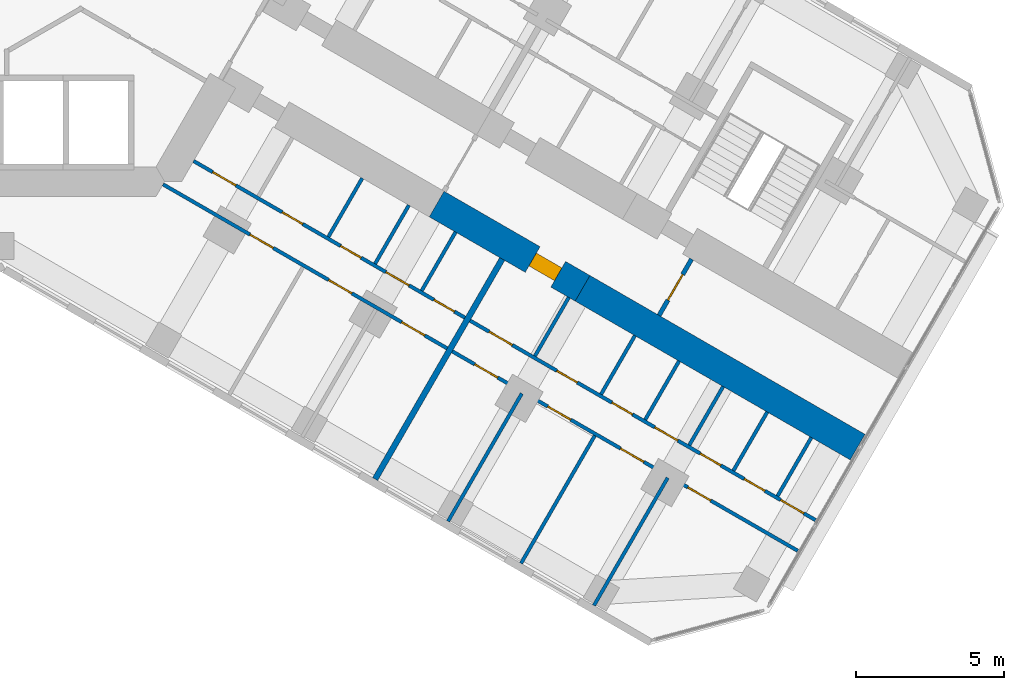
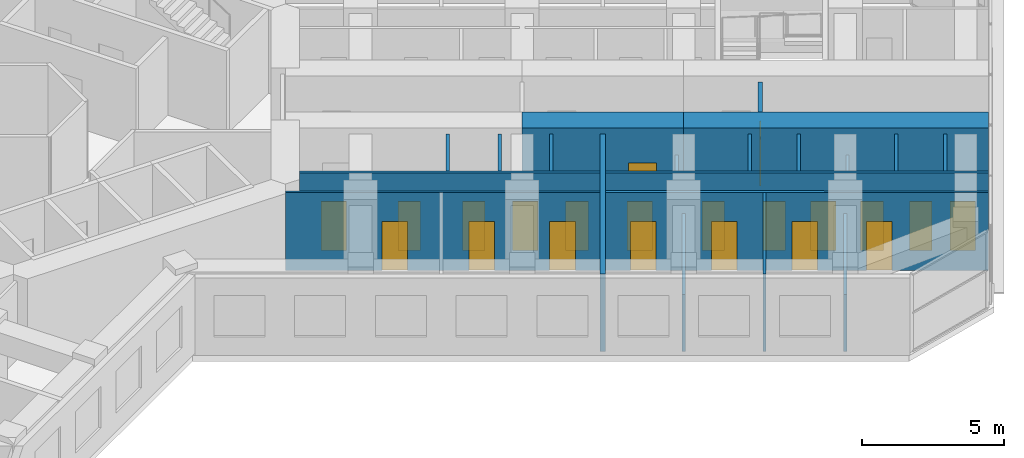
# One storey, part 14 of 21: 21 doors, 20 walls, 21 openings.
"""IFC4 building model written with IfcOpenShell, lengths in metres."""

from ifc_helpers import new_model, si_unit, direction, frame, frame_2d, origin, place, context, subcontext, project, spatial, rectangle, extrude, material, layer, layer_set, type_object, element, fill, save


model = new_model("IFC4")

# Units and contexts
model_context = context("Model", 3, precision=1e-05, world=origin(), true_north=direction((0.0, 1.0)))
body_context = subcontext(model_context, "Body", "Model", "MODEL_VIEW")
ifc_project = project(units=[si_unit("LENGTHUNIT", "METRE"), si_unit("AREAUNIT", "SQUARE_METRE"), si_unit("VOLUMEUNIT", "CUBIC_METRE"), si_unit("PLANEANGLEUNIT", "RADIAN"), si_unit("MASSUNIT", "GRAM", prefix="KILO")], contexts=[model_context])

# Site, building, storey
site_placement = place(None, origin())
site = spatial("IfcSite", under=ifc_project, at=site_placement, CompositionType="ELEMENT")
building_placement = place(site_placement, origin())
building = spatial("IfcBuilding", under=site, at=building_placement, Name="Kosmar Iwan School Tower", CompositionType="ELEMENT")
storey_placement = place(building_placement, frame((0.0, 0.0, 98.800048828125)))
storey = spatial("IfcBuildingStorey", under=building, at=storey_placement, Name="L24", CompositionType="ELEMENT", Elevation=98.800048828125)

# Wall, opening, door
ifc_material_1 = material(Name="Concrete C50/60", Category="concrete")
ifc_layer_1 = layer(ifc_material_1, 1.0)
ifc_layer_set_1 = layer_set([ifc_layer_1], Name="Corridor buttress wall 1000")
wall_type_1 = type_object("IfcWallType", Name="Corridor buttress wall 1000", PredefinedType="SHEAR", material=ifc_layer_set_1)
wall_1_placement = place(storey_placement, frame((14.7451171875, -10.360595703125, 0.0), z_axis=(0.0, 0.0, 1.0), x_axis=(0.866015111908, -0.50001782563, 0.0)))
wall_1 = element("IfcWall", 1, at=wall_1_placement, inside=storey, type_object=wall_type_1, Name="Corridor wall CR bay 2", PredefinedType="SHEAR", context=body_context, shape_type="SweptSolid", body=[
    extrude(rectangle(XDim=5.699951171875, YDim=1.0, at=frame_2d((2.85009765625, 0.0))), origin(), (0.0, 0.0, 1.0), 3.599853515625),
])
opening_1_placement = place(wall_1_placement, frame((3.75, 0.0, 0.0)))
opening_1 = element("IfcOpeningElement", 2, at=opening_1_placement, cuts=wall_1, Name="Opening D1", PredefinedType="OPENING", context=body_context, shape_type="SweptSolid", body=[
    extrude(rectangle(XDim=1.0, YDim=2.10009765625, at=frame_2d((0.5, 1.050048828125))), frame((0.0, 0.511962890625, 0.0), z_axis=(0.0, -1.0, 0.0), x_axis=(1.0, 0.0, 0.0)), (0.0, 0.0, 1.0), 1.02392578125),
])
ifc_material_2 = material(Name="Timber fire door in steel frame", Category="steel")
door_type_1 = type_object("IfcDoorType", Name="Flat entrance door 1000x2100", OperationType="SINGLE_SWING_LEFT", PredefinedType="DOOR", material=ifc_material_2)
door_1_placement = place(opening_1_placement, origin())
door_1 = element("IfcDoor", 3, at=door_1_placement, inside=storey, type_object=door_type_1, Name="Flat L24-CR2 entrance door", OperationType="SINGLE_SWING_RIGHT", OverallHeight=2.10009765625, OverallWidth=1.0, PredefinedType="DOOR", context=body_context, shape_type="SweptSolid", body=[
    extrude(rectangle(XDim=1.0, YDim=2.10009765625, at=frame_2d((0.5, 1.050048828125))), frame((0.0, 0.25, 0.0), z_axis=(0.0, -1.0, 0.0), x_axis=(1.0, 0.0, 0.0)), (0.0, 0.0, 1.0), 0.5),
])
fill(opening_1, door_1)

# Wall
wall_2_placement = place(storey_placement, frame((19.681396484375, -13.210693359375, 0.0), z_axis=(0.0, 0.0, 1.0), x_axis=(0.866028186671, -0.499995179869, 0.0)))
element("IfcWall", 4, at=wall_2_placement, inside=storey, type_object=wall_type_1, Name="Corridor wall CR bay 3", PredefinedType="SHEAR", context=body_context, shape_type="SweptSolid", body=[
    extrude(rectangle(XDim=10.7451171875, YDim=1.0, at=frame_2d((5.37255859375, 0.0))), origin(), (0.0, 0.0, 1.0), 3.599853515625),
])

# Wall, opening, door
ifc_material_3 = material(Name="Gypsum board on steel studs, fire-rated", Category="steel")
ifc_layer_2 = layer(ifc_material_3, 0.14990234375)
ifc_layer_set_2 = layer_set([ifc_layer_2], Name="Corridor end wall 150")
wall_type_2 = type_object("IfcWallType", Name="Corridor end wall 150", PredefinedType="PARTITIONING", material=ifc_layer_set_2)
wall_3_placement = place(storey_placement, frame((22.269775390625, -14.127685546875, 0.0), z_axis=(0.0, 0.0, 1.0), x_axis=(0.50002983664, 0.866008176907, 0.0)))
wall_3 = element("IfcWall", 5, at=wall_3_placement, inside=storey, type_object=wall_type_2, Name="Partition L24-C-CE", PredefinedType="PARTITIONING", context=body_context, shape_type="SweptSolid", body=[
    extrude(rectangle(XDim=2.199951171875, YDim=0.14990234375, at=frame_2d((1.10009765625, 0.0))), origin(), (0.0, 0.0, 1.0), 3.349853515625),
])
opening_2_placement = place(wall_3_placement, frame((0.60009765625, 0.0, 0.0)))
opening_2 = element("IfcOpeningElement", 6, at=opening_2_placement, cuts=wall_3, Name="Opening D13", PredefinedType="OPENING", context=body_context, shape_type="SweptSolid", body=[
    extrude(rectangle(XDim=1.0, YDim=2.10009765625, at=frame_2d((0.5, 1.050048828125))), frame((0.0, 0.0869140625, 0.0), z_axis=(0.0, -1.0, 0.0), x_axis=(1.0, 0.0, 0.0)), (0.0, 0.0, 1.0), 0.173828125),
])
ifc_material_4 = material(Name="Timber fire door with vision panel", Category="wood")
door_type_2 = type_object("IfcDoorType", Name="Corridor end door 1000x2100", OperationType="SINGLE_SWING_LEFT", PredefinedType="DOOR", material=ifc_material_4)
door_2_placement = place(opening_2_placement, origin())
door_2 = element("IfcDoor", 7, at=door_2_placement, inside=storey, type_object=door_type_2, Name="Hobby workshop door L24-C", OperationType="SINGLE_SWING_LEFT", OverallHeight=2.10009765625, OverallWidth=1.0, PredefinedType="DOOR", context=body_context, shape_type="SweptSolid", body=[
    extrude(rectangle(XDim=1.0, YDim=2.10009765625, at=frame_2d((0.5, 1.050048828125))), frame((0.0, 0.02490234375, 0.0), z_axis=(0.0, -1.0, 0.0), x_axis=(1.0, 0.0, 0.0)), (0.0, 0.0, 1.0), 0.050048828125),
])
fill(opening_2, door_2)

# Wall, openings, doors
ifc_material_5 = material(Name="Gypsum board on steel studs", Category="steel")
ifc_layer_3 = layer(ifc_material_5, 0.1201171875)
ifc_layer_set_3 = layer_set([ifc_layer_3], Name="Dwelling partition 120")
wall_type_3 = type_object("IfcWallType", Name="Dwelling partition 120", PredefinedType="PARTITIONING", material=ifc_layer_set_3)
wall_4_placement = place(storey_placement, frame((6.521728515625, -8.90380859375, 0.0), z_axis=(0.0, 0.0, 1.0), x_axis=(0.866024879913, -0.50000090737, 0.0)))
wall_4 = element("IfcWall", 8, at=wall_4_placement, inside=storey, type_object=wall_type_3, Name="Partition L24-CR1-W1", PredefinedType="PARTITIONING", context=body_context, shape_type="SweptSolid", body=[
    extrude(rectangle(XDim=10.60009765625, YDim=0.1201171875, at=frame_2d((5.300048828125, 0.0))), origin(), (0.0, 0.0, 1.0), 3.349853515625),
])
opening_3_placement = place(wall_4_placement, frame((0.75, 0.0, 0.0)))
opening_3 = element("IfcOpeningElement", 9, at=opening_3_placement, cuts=wall_4, Name="Opening D2", PredefinedType="OPENING", context=body_context, shape_type="SweptSolid", body=[
    extrude(rectangle(XDim=0.89990234375, YDim=2.10009765625, at=frame_2d((0.449951171875, 1.050048828125))), frame((0.0, 0.072021484375, 0.0), z_axis=(0.0, -1.0, 0.0), x_axis=(1.0, 0.0, 0.0)), (0.0, 0.0, 1.0), 0.14404296875),
])
opening_4_placement = place(wall_4_placement, frame((3.466796875, 0.0, 0.0)))
opening_4 = element("IfcOpeningElement", 10, at=opening_4_placement, cuts=wall_4, Name="Opening D3", PredefinedType="OPENING", context=body_context, shape_type="SweptSolid", body=[
    extrude(rectangle(XDim=0.800048828125, YDim=2.10009765625, at=frame_2d((0.39990234375, 1.050048828125))), frame((0.0, 0.072021484375, 0.0), z_axis=(0.0, -1.0, 0.0), x_axis=(1.0, 0.0, 0.0)), (0.0, 0.0, 1.0), 0.14404296875),
])
opening_5_placement = place(wall_4_placement, frame((5.744384765625, 0.0, 0.0)))
opening_5 = element("IfcOpeningElement", 11, at=opening_5_placement, cuts=wall_4, Name="Opening D3", PredefinedType="OPENING", context=body_context, shape_type="SweptSolid", body=[
    extrude(rectangle(XDim=0.800048828125, YDim=2.10009765625, at=frame_2d((0.39990234375, 1.050048828125))), frame((0.0, 0.072021484375, 0.0), z_axis=(0.0, -1.0, 0.0), x_axis=(1.0, 0.0, 0.0)), (0.0, 0.0, 1.0), 0.14404296875),
])
opening_6_placement = place(wall_4_placement, frame((7.5166015625, 0.0, 0.0)))
opening_6 = element("IfcOpeningElement", 12, at=opening_6_placement, cuts=wall_4, Name="Opening D2", PredefinedType="OPENING", context=body_context, shape_type="SweptSolid", body=[
    extrude(rectangle(XDim=0.89990234375, YDim=2.10009765625, at=frame_2d((0.449951171875, 1.050048828125))), frame((0.0, 0.072021484375, 0.0), z_axis=(0.0, -1.0, 0.0), x_axis=(1.0, 0.0, 0.0)), (0.0, 0.0, 1.0), 0.14404296875),
])
opening_7_placement = place(wall_4_placement, frame((9.388916015625, 0.0, 0.0)))
opening_7 = element("IfcOpeningElement", 13, at=opening_7_placement, cuts=wall_4, Name="Opening D3", PredefinedType="OPENING", context=body_context, shape_type="SweptSolid", body=[
    extrude(rectangle(XDim=0.800048828125, YDim=2.10009765625, at=frame_2d((0.39990234375, 1.050048828125))), frame((0.0, 0.072021484375, 0.0), z_axis=(0.0, -1.0, 0.0), x_axis=(1.0, 0.0, 0.0)), (0.0, 0.0, 1.0), 0.14404296875),
])
ifc_material_6 = material(Name="Timber door in timber frame", Category="wood")
door_type_3 = type_object("IfcDoorType", Name="Internal door 900x2100", OperationType="SINGLE_SWING_LEFT", PredefinedType="DOOR", material=ifc_material_6)
door_3_placement = place(opening_3_placement, origin())
door_3 = element("IfcDoor", 14, at=door_3_placement, inside=storey, type_object=door_type_3, Name="Entrance hall door L24-CR1-S1", OperationType="SINGLE_SWING_LEFT", OverallHeight=2.10009765625, OverallWidth=0.89990234375, PredefinedType="DOOR", context=body_context, shape_type="SweptSolid", body=[
    extrude(rectangle(XDim=0.89990234375, YDim=2.10009765625, at=frame_2d((0.449951171875, 1.050048828125))), frame((0.0, 0.02490234375, 0.0), z_axis=(0.0, -1.0, 0.0), x_axis=(1.0, 0.0, 0.0)), (0.0, 0.0, 1.0), 0.050048828125),
])
fill(opening_3, door_3)
door_4_placement = place(opening_6_placement, origin())
door_4 = element("IfcDoor", 15, at=door_4_placement, inside=storey, type_object=door_type_3, Name="Pantry door L24-CR1-S4", OperationType="SINGLE_SWING_RIGHT", OverallHeight=2.10009765625, OverallWidth=0.89990234375, PredefinedType="DOOR", context=body_context, shape_type="SweptSolid", body=[
    extrude(rectangle(XDim=0.89990234375, YDim=2.10009765625, at=frame_2d((0.449951171875, 1.050048828125))), frame((0.0, 0.02490234375, 0.0), z_axis=(0.0, -1.0, 0.0), x_axis=(1.0, 0.0, 0.0)), (0.0, 0.0, 1.0), 0.050048828125),
])
fill(opening_6, door_4)
ifc_material_7 = material(Name="Timber door in timber frame", Category="wood")
door_type_4 = type_object("IfcDoorType", Name="Sanitary room door 800x2100", OperationType="SINGLE_SWING_LEFT", PredefinedType="DOOR", material=ifc_material_7)
door_5_placement = place(opening_4_placement, origin())
door_5 = element("IfcDoor", 16, at=door_5_placement, inside=storey, type_object=door_type_4, Name="Bathroom door L24-CR1-S2", OperationType="SINGLE_SWING_RIGHT", OverallHeight=2.10009765625, OverallWidth=0.800048828125, PredefinedType="DOOR", context=body_context, shape_type="SweptSolid", body=[
    extrude(rectangle(XDim=0.800048828125, YDim=2.10009765625, at=frame_2d((0.39990234375, 1.050048828125))), frame((0.0, 0.02490234375, 0.0), z_axis=(0.0, -1.0, 0.0), x_axis=(1.0, 0.0, 0.0)), (0.0, 0.0, 1.0), 0.050048828125),
])
fill(opening_4, door_5)
door_6_placement = place(opening_5_placement, origin())
door_6 = element("IfcDoor", 17, at=door_6_placement, inside=storey, type_object=door_type_4, Name="Shower room door L24-CR1-S3", OperationType="SINGLE_SWING_LEFT", OverallHeight=2.10009765625, OverallWidth=0.800048828125, PredefinedType="DOOR", context=body_context, shape_type="SweptSolid", body=[
    extrude(rectangle(XDim=0.800048828125, YDim=2.10009765625, at=frame_2d((0.39990234375, 1.050048828125))), frame((0.0, 0.02490234375, 0.0), z_axis=(0.0, -1.0, 0.0), x_axis=(1.0, 0.0, 0.0)), (0.0, 0.0, 1.0), 0.050048828125),
])
fill(opening_5, door_6)
door_7_placement = place(opening_7_placement, origin())
door_7 = element("IfcDoor", 18, at=door_7_placement, inside=storey, type_object=door_type_4, Name="WC door L24-CR1-S5", OperationType="SINGLE_SWING_RIGHT", OverallHeight=2.10009765625, OverallWidth=0.800048828125, PredefinedType="DOOR", context=body_context, shape_type="SweptSolid", body=[
    extrude(rectangle(XDim=0.800048828125, YDim=2.10009765625, at=frame_2d((0.39990234375, 1.050048828125))), frame((0.0, 0.02490234375, 0.0), z_axis=(0.0, -1.0, 0.0), x_axis=(1.0, 0.0, 0.0)), (0.0, 0.0, 1.0), 0.050048828125),
])
fill(opening_7, door_7)

wall_5_placement = place(storey_placement, frame((5.48876953125, -9.693115234375, 0.0), z_axis=(0.0, 0.0, 1.0), x_axis=(0.866026992824, -0.499997247692, 0.0)))
wall_5 = element("IfcWall", 19, at=wall_5_placement, inside=storey, type_object=wall_type_3, Name="Partition L24-CR1-W2", PredefinedType="PARTITIONING", context=body_context, shape_type="SweptSolid", body=[
    extrude(rectangle(XDim=11.10009765625, YDim=0.1201171875, at=frame_2d((5.550048828125, 0.0))), origin(), (0.0, 0.0, 1.0), 3.349853515625),
])
opening_8_placement = place(wall_5_placement, frame((3.39990234375, 0.0, 0.0)))
opening_8 = element("IfcOpeningElement", 20, at=opening_8_placement, cuts=wall_5, Name="Opening D2", PredefinedType="OPENING", context=body_context, shape_type="SweptSolid", body=[
    extrude(rectangle(XDim=0.89990234375, YDim=2.10009765625, at=frame_2d((0.449951171875, 1.050048828125))), frame((0.0, 0.072021484375, 0.0), z_axis=(0.0, -1.0, 0.0), x_axis=(1.0, 0.0, 0.0)), (0.0, 0.0, 1.0), 0.14404296875),
])
opening_9_placement = place(wall_5_placement, frame((6.47509765625, 0.0, 0.0)))
opening_9 = element("IfcOpeningElement", 21, at=opening_9_placement, cuts=wall_5, Name="Opening D2", PredefinedType="OPENING", context=body_context, shape_type="SweptSolid", body=[
    extrude(rectangle(XDim=0.89990234375, YDim=2.10009765625, at=frame_2d((0.449951171875, 1.050048828125))), frame((0.0, 0.072021484375, 0.0), z_axis=(0.0, -1.0, 0.0), x_axis=(1.0, 0.0, 0.0)), (0.0, 0.0, 1.0), 0.14404296875),
])
opening_10_placement = place(wall_5_placement, frame((9.324951171875, 0.0, 0.0)))
opening_10 = element("IfcOpeningElement", 22, at=opening_10_placement, cuts=wall_5, Name="Opening D2", PredefinedType="OPENING", context=body_context, shape_type="SweptSolid", body=[
    extrude(rectangle(XDim=0.89990234375, YDim=2.10009765625, at=frame_2d((0.449951171875, 1.050048828125))), frame((0.0, 0.072021484375, 0.0), z_axis=(0.0, -1.0, 0.0), x_axis=(1.0, 0.0, 0.0)), (0.0, 0.0, 1.0), 0.14404296875),
])
door_8_placement = place(opening_8_placement, origin())
door_8 = element("IfcDoor", 23, at=door_8_placement, inside=storey, type_object=door_type_3, Name="Living room and kitchen door L24-CR1-F1", OperationType="SINGLE_SWING_LEFT", OverallHeight=2.10009765625, OverallWidth=0.89990234375, PredefinedType="DOOR", context=body_context, shape_type="SweptSolid", body=[
    extrude(rectangle(XDim=0.89990234375, YDim=2.10009765625, at=frame_2d((0.449951171875, 1.050048828125))), frame((0.0, 0.02490234375, 0.0), z_axis=(0.0, -1.0, 0.0), x_axis=(1.0, 0.0, 0.0)), (0.0, 0.0, 1.0), 0.050048828125),
])
fill(opening_8, door_8)
door_9_placement = place(opening_9_placement, origin())
door_9 = element("IfcDoor", 24, at=door_9_placement, inside=storey, type_object=door_type_3, Name="Bedroom 1 door L24-CR1-F2", OperationType="SINGLE_SWING_RIGHT", OverallHeight=2.10009765625, OverallWidth=0.89990234375, PredefinedType="DOOR", context=body_context, shape_type="SweptSolid", body=[
    extrude(rectangle(XDim=0.89990234375, YDim=2.10009765625, at=frame_2d((0.449951171875, 1.050048828125))), frame((0.0, 0.02490234375, 0.0), z_axis=(0.0, -1.0, 0.0), x_axis=(1.0, 0.0, 0.0)), (0.0, 0.0, 1.0), 0.050048828125),
])
fill(opening_9, door_9)
door_10_placement = place(opening_10_placement, origin())
door_10 = element("IfcDoor", 25, at=door_10_placement, inside=storey, type_object=door_type_3, Name="Bedroom 2 door L24-CR1-F3", OperationType="SINGLE_SWING_RIGHT", OverallHeight=2.10009765625, OverallWidth=0.89990234375, PredefinedType="DOOR", context=body_context, shape_type="SweptSolid", body=[
    extrude(rectangle(XDim=0.89990234375, YDim=2.10009765625, at=frame_2d((0.449951171875, 1.050048828125))), frame((0.0, 0.02490234375, 0.0), z_axis=(0.0, -1.0, 0.0), x_axis=(1.0, 0.0, 0.0)), (0.0, 0.0, 1.0), 0.050048828125),
])
fill(opening_10, door_10)

# Walls
for number, where, z_axis, x_axis, name in (
    (26, (12.22900390625, -9.4853515625, 0.0), (0.0, 0.0, 1.0), (-0.500014693593, -0.866016920268, 0.0), "Partition L24-CR1-Y2"),
    (27, (13.80712890625, -10.396484375, 0.0), (0.0, 0.0, 1.0), (-0.500014693593, -0.866016920268, 0.0), "Partition L24-CR1-Y3"),
    (28, (15.38525390625, -11.3076171875, 0.0), (0.0, 0.0, 1.0), (-0.500014693593, -0.866016920268, 0.0), "Partition L24-CR1-Y4"),
):
    element("IfcWall", number, at=place(storey_placement, frame(where, z_axis=z_axis, x_axis=x_axis)), inside=storey, type_object=wall_type_3, Name=name, PredefinedType="PARTITIONING", context=body_context, shape_type="SweptSolid", body=[
        extrude(rectangle(XDim=2.2900390625, YDim=0.1201171875, at=frame_2d((1.14501953125, 0.0))), origin(), (0.0, 0.0, 1.0), 3.349853515625),
    ])

# Wall, openings, doors
wall_6_placement = place(storey_placement, frame((15.875, -14.3037109375, 0.0), z_axis=(0.0, 0.0, 1.0), x_axis=(0.866023503214, -0.50000329187, 0.0)))
wall_6 = element("IfcWall", 29, at=wall_6_placement, inside=storey, type_object=wall_type_3, Name="Partition L24-CR2-W1", PredefinedType="PARTITIONING", context=body_context, shape_type="SweptSolid", body=[
    extrude(rectangle(XDim=13.4951171875, YDim=0.1201171875, at=frame_2d((6.74755859375, 0.0))), origin(), (0.0, 0.0, 1.0), 3.349853515625),
])
opening_11_placement = place(wall_6_placement, frame((0.75, 0.0, 0.0)))
opening_11 = element("IfcOpeningElement", 30, at=opening_11_placement, cuts=wall_6, Name="Opening D2", PredefinedType="OPENING", context=body_context, shape_type="SweptSolid", body=[
    extrude(rectangle(XDim=0.89990234375, YDim=2.10009765625, at=frame_2d((0.449951171875, 1.050048828125))), frame((0.0, 0.072021484375, 0.0), z_axis=(0.0, -1.0, 0.0), x_axis=(1.0, 0.0, 0.0)), (0.0, 0.0, 1.0), 0.14404296875),
])
opening_12_placement = place(wall_6_placement, frame((3.392333984375, 0.0, 0.0)))
opening_12 = element("IfcOpeningElement", 31, at=opening_12_placement, cuts=wall_6, Name="Opening D3", PredefinedType="OPENING", context=body_context, shape_type="SweptSolid", body=[
    extrude(rectangle(XDim=0.800048828125, YDim=2.10009765625, at=frame_2d((0.39990234375, 1.050048828125))), frame((0.0, 0.072021484375, 0.0), z_axis=(0.0, -1.0, 0.0), x_axis=(1.0, 0.0, 0.0)), (0.0, 0.0, 1.0), 0.14404296875),
])
opening_13_placement = place(wall_6_placement, frame((5.546142578125, 0.0, 0.0)))
opening_13 = element("IfcOpeningElement", 32, at=opening_13_placement, cuts=wall_6, Name="Opening D3", PredefinedType="OPENING", context=body_context, shape_type="SweptSolid", body=[
    extrude(rectangle(XDim=0.800048828125, YDim=2.10009765625, at=frame_2d((0.39990234375, 1.050048828125))), frame((0.0, 0.072021484375, 0.0), z_axis=(0.0, -1.0, 0.0), x_axis=(1.0, 0.0, 0.0)), (0.0, 0.0, 1.0), 0.14404296875),
])
opening_14_placement = place(wall_6_placement, frame((7.21923828125, 0.0, 0.0)))
opening_14 = element("IfcOpeningElement", 33, at=opening_14_placement, cuts=wall_6, Name="Opening D2", PredefinedType="OPENING", context=body_context, shape_type="SweptSolid", body=[
    extrude(rectangle(XDim=0.89990234375, YDim=2.10009765625, at=frame_2d((0.449951171875, 1.050048828125))), frame((0.0, 0.072021484375, 0.0), z_axis=(0.0, -1.0, 0.0), x_axis=(1.0, 0.0, 0.0)), (0.0, 0.0, 1.0), 0.14404296875),
])
opening_15_placement = place(wall_6_placement, frame((8.992431640625, 0.0, 0.0)))
opening_15 = element("IfcOpeningElement", 34, at=opening_15_placement, cuts=wall_6, Name="Opening D3", PredefinedType="OPENING", context=body_context, shape_type="SweptSolid", body=[
    extrude(rectangle(XDim=0.800048828125, YDim=2.10009765625, at=frame_2d((0.39990234375, 1.050048828125))), frame((0.0, 0.072021484375, 0.0), z_axis=(0.0, -1.0, 0.0), x_axis=(1.0, 0.0, 0.0)), (0.0, 0.0, 1.0), 0.14404296875),
])
opening_16_placement = place(wall_6_placement, frame((10.71533203125, 0.0, 0.0)))
opening_16 = element("IfcOpeningElement", 35, at=opening_16_placement, cuts=wall_6, Name="Opening D3", PredefinedType="OPENING", context=body_context, shape_type="SweptSolid", body=[
    extrude(rectangle(XDim=0.800048828125, YDim=2.10009765625, at=frame_2d((0.39990234375, 1.050048828125))), frame((0.0, 0.072021484375, 0.0), z_axis=(0.0, -1.0, 0.0), x_axis=(1.0, 0.0, 0.0)), (0.0, 0.0, 1.0), 0.14404296875),
])
opening_17_placement = place(wall_6_placement, frame((12.136962890625, 0.0, 0.0)))
opening_17 = element("IfcOpeningElement", 36, at=opening_17_placement, cuts=wall_6, Name="Opening D2", PredefinedType="OPENING", context=body_context, shape_type="SweptSolid", body=[
    extrude(rectangle(XDim=0.89990234375, YDim=2.10009765625, at=frame_2d((0.449951171875, 1.050048828125))), frame((0.0, 0.072021484375, 0.0), z_axis=(0.0, -1.0, 0.0), x_axis=(1.0, 0.0, 0.0)), (0.0, 0.0, 1.0), 0.14404296875),
])
door_11_placement = place(opening_11_placement, origin())
door_11 = element("IfcDoor", 37, at=door_11_placement, inside=storey, type_object=door_type_3, Name="Entrance hall door L24-CR2-S1", OperationType="SINGLE_SWING_LEFT", OverallHeight=2.10009765625, OverallWidth=0.89990234375, PredefinedType="DOOR", context=body_context, shape_type="SweptSolid", body=[
    extrude(rectangle(XDim=0.89990234375, YDim=2.10009765625, at=frame_2d((0.449951171875, 1.050048828125))), frame((0.0, 0.02490234375, 0.0), z_axis=(0.0, -1.0, 0.0), x_axis=(1.0, 0.0, 0.0)), (0.0, 0.0, 1.0), 0.050048828125),
])
fill(opening_11, door_11)
door_12_placement = place(opening_14_placement, origin())
door_12 = element("IfcDoor", 38, at=door_12_placement, inside=storey, type_object=door_type_3, Name="Pantry door L24-CR2-S4", OperationType="SINGLE_SWING_RIGHT", OverallHeight=2.10009765625, OverallWidth=0.89990234375, PredefinedType="DOOR", context=body_context, shape_type="SweptSolid", body=[
    extrude(rectangle(XDim=0.89990234375, YDim=2.10009765625, at=frame_2d((0.449951171875, 1.050048828125))), frame((0.0, 0.02490234375, 0.0), z_axis=(0.0, -1.0, 0.0), x_axis=(1.0, 0.0, 0.0)), (0.0, 0.0, 1.0), 0.050048828125),
])
fill(opening_14, door_12)
door_13_placement = place(opening_17_placement, origin())
door_13 = element("IfcDoor", 39, at=door_13_placement, inside=storey, type_object=door_type_3, Name="Utility room door L24-CR2-S7", OperationType="SINGLE_SWING_LEFT", OverallHeight=2.10009765625, OverallWidth=0.89990234375, PredefinedType="DOOR", context=body_context, shape_type="SweptSolid", body=[
    extrude(rectangle(XDim=0.89990234375, YDim=2.10009765625, at=frame_2d((0.449951171875, 1.050048828125))), frame((0.0, 0.02490234375, 0.0), z_axis=(0.0, -1.0, 0.0), x_axis=(1.0, 0.0, 0.0)), (0.0, 0.0, 1.0), 0.050048828125),
])
fill(opening_17, door_13)
door_14_placement = place(opening_12_placement, origin())
door_14 = element("IfcDoor", 40, at=door_14_placement, inside=storey, type_object=door_type_4, Name="Bathroom door L24-CR2-S2", OperationType="SINGLE_SWING_RIGHT", OverallHeight=2.10009765625, OverallWidth=0.800048828125, PredefinedType="DOOR", context=body_context, shape_type="SweptSolid", body=[
    extrude(rectangle(XDim=0.800048828125, YDim=2.10009765625, at=frame_2d((0.39990234375, 1.050048828125))), frame((0.0, 0.02490234375, 0.0), z_axis=(0.0, -1.0, 0.0), x_axis=(1.0, 0.0, 0.0)), (0.0, 0.0, 1.0), 0.050048828125),
])
fill(opening_12, door_14)
door_15_placement = place(opening_13_placement, origin())
door_15 = element("IfcDoor", 41, at=door_15_placement, inside=storey, type_object=door_type_4, Name="Shower room door L24-CR2-S3", OperationType="SINGLE_SWING_LEFT", OverallHeight=2.10009765625, OverallWidth=0.800048828125, PredefinedType="DOOR", context=body_context, shape_type="SweptSolid", body=[
    extrude(rectangle(XDim=0.800048828125, YDim=2.10009765625, at=frame_2d((0.39990234375, 1.050048828125))), frame((0.0, 0.02490234375, 0.0), z_axis=(0.0, -1.0, 0.0), x_axis=(1.0, 0.0, 0.0)), (0.0, 0.0, 1.0), 0.050048828125),
])
fill(opening_13, door_15)
door_16_placement = place(opening_15_placement, origin())
door_16 = element("IfcDoor", 42, at=door_16_placement, inside=storey, type_object=door_type_4, Name="WC door L24-CR2-S5", OperationType="SINGLE_SWING_LEFT", OverallHeight=2.10009765625, OverallWidth=0.800048828125, PredefinedType="DOOR", context=body_context, shape_type="SweptSolid", body=[
    extrude(rectangle(XDim=0.800048828125, YDim=2.10009765625, at=frame_2d((0.39990234375, 1.050048828125))), frame((0.0, 0.02490234375, 0.0), z_axis=(0.0, -1.0, 0.0), x_axis=(1.0, 0.0, 0.0)), (0.0, 0.0, 1.0), 0.050048828125),
])
fill(opening_15, door_16)
door_17_placement = place(opening_16_placement, origin())
door_17 = element("IfcDoor", 43, at=door_17_placement, inside=storey, type_object=door_type_4, Name="Store door L24-CR2-S6", OperationType="SINGLE_SWING_RIGHT", OverallHeight=2.10009765625, OverallWidth=0.800048828125, PredefinedType="DOOR", context=body_context, shape_type="SweptSolid", body=[
    extrude(rectangle(XDim=0.800048828125, YDim=2.10009765625, at=frame_2d((0.39990234375, 1.050048828125))), frame((0.0, 0.02490234375, 0.0), z_axis=(0.0, -1.0, 0.0), x_axis=(1.0, 0.0, 0.0)), (0.0, 0.0, 1.0), 0.050048828125),
])
fill(opening_16, door_17)

wall_7_placement = place(storey_placement, frame((15.27490234375, -15.343017578125, 0.0), z_axis=(0.0, 0.0, 1.0), x_axis=(0.866023503214, -0.50000329187, 0.0)))
wall_7 = element("IfcWall", 44, at=wall_7_placement, inside=storey, type_object=wall_type_3, Name="Partition L24-CR2-W2", PredefinedType="PARTITIONING", context=body_context, shape_type="SweptSolid", body=[
    extrude(rectangle(XDim=13.4951171875, YDim=0.1201171875, at=frame_2d((6.74755859375, 0.0))), origin(), (0.0, 0.0, 1.0), 3.349853515625),
])
opening_18_placement = place(wall_7_placement, frame((0.875, 0.0, 0.0)))
opening_18 = element("IfcOpeningElement", 45, at=opening_18_placement, cuts=wall_7, Name="Opening D2", PredefinedType="OPENING", context=body_context, shape_type="SweptSolid", body=[
    extrude(rectangle(XDim=0.89990234375, YDim=2.10009765625, at=frame_2d((0.449951171875, 1.050048828125))), frame((0.0, 0.072021484375, 0.0), z_axis=(0.0, -1.0, 0.0), x_axis=(1.0, 0.0, 0.0)), (0.0, 0.0, 1.0), 0.14404296875),
])
opening_19_placement = place(wall_7_placement, frame((3.72509765625, 0.0, 0.0)))
opening_19 = element("IfcOpeningElement", 46, at=opening_19_placement, cuts=wall_7, Name="Opening D2", PredefinedType="OPENING", context=body_context, shape_type="SweptSolid", body=[
    extrude(rectangle(XDim=0.89990234375, YDim=2.10009765625, at=frame_2d((0.449951171875, 1.050048828125))), frame((0.0, 0.072021484375, 0.0), z_axis=(0.0, -1.0, 0.0), x_axis=(1.0, 0.0, 0.0)), (0.0, 0.0, 1.0), 0.14404296875),
])
opening_20_placement = place(wall_7_placement, frame((6.574951171875, 0.0, 0.0)))
opening_20 = element("IfcOpeningElement", 47, at=opening_20_placement, cuts=wall_7, Name="Opening D2", PredefinedType="OPENING", context=body_context, shape_type="SweptSolid", body=[
    extrude(rectangle(XDim=0.89990234375, YDim=2.10009765625, at=frame_2d((0.449951171875, 1.050048828125))), frame((0.0, 0.072021484375, 0.0), z_axis=(0.0, -1.0, 0.0), x_axis=(1.0, 0.0, 0.0)), (0.0, 0.0, 1.0), 0.14404296875),
])
opening_21_placement = place(wall_7_placement, frame((9.199951171875, 0.0, 0.0)))
opening_21 = element("IfcOpeningElement", 48, at=opening_21_placement, cuts=wall_7, Name="Opening D2", PredefinedType="OPENING", context=body_context, shape_type="SweptSolid", body=[
    extrude(rectangle(XDim=0.89990234375, YDim=2.10009765625, at=frame_2d((0.449951171875, 1.050048828125))), frame((0.0, 0.072021484375, 0.0), z_axis=(0.0, -1.0, 0.0), x_axis=(1.0, 0.0, 0.0)), (0.0, 0.0, 1.0), 0.14404296875),
])
door_18_placement = place(opening_18_placement, origin())
door_18 = element("IfcDoor", 49, at=door_18_placement, inside=storey, type_object=door_type_3, Name="Bedroom 1 door L24-CR2-F1", OperationType="SINGLE_SWING_LEFT", OverallHeight=2.10009765625, OverallWidth=0.89990234375, PredefinedType="DOOR", context=body_context, shape_type="SweptSolid", body=[
    extrude(rectangle(XDim=0.89990234375, YDim=2.10009765625, at=frame_2d((0.449951171875, 1.050048828125))), frame((0.0, 0.02490234375, 0.0), z_axis=(0.0, -1.0, 0.0), x_axis=(1.0, 0.0, 0.0)), (0.0, 0.0, 1.0), 0.050048828125),
])
fill(opening_18, door_18)
door_19_placement = place(opening_19_placement, origin())
door_19 = element("IfcDoor", 50, at=door_19_placement, inside=storey, type_object=door_type_3, Name="Winter garden door L24-CR2-F2", OperationType="SINGLE_SWING_LEFT", OverallHeight=2.10009765625, OverallWidth=0.89990234375, PredefinedType="DOOR", context=body_context, shape_type="SweptSolid", body=[
    extrude(rectangle(XDim=0.89990234375, YDim=2.10009765625, at=frame_2d((0.449951171875, 1.050048828125))), frame((0.0, 0.02490234375, 0.0), z_axis=(0.0, -1.0, 0.0), x_axis=(1.0, 0.0, 0.0)), (0.0, 0.0, 1.0), 0.050048828125),
])
fill(opening_19, door_19)
door_20_placement = place(opening_20_placement, origin())
door_20 = element("IfcDoor", 51, at=door_20_placement, inside=storey, type_object=door_type_3, Name="Bedroom 2 door L24-CR2-F3", OperationType="SINGLE_SWING_RIGHT", OverallHeight=2.10009765625, OverallWidth=0.89990234375, PredefinedType="DOOR", context=body_context, shape_type="SweptSolid", body=[
    extrude(rectangle(XDim=0.89990234375, YDim=2.10009765625, at=frame_2d((0.449951171875, 1.050048828125))), frame((0.0, 0.02490234375, 0.0), z_axis=(0.0, -1.0, 0.0), x_axis=(1.0, 0.0, 0.0)), (0.0, 0.0, 1.0), 0.050048828125),
])
fill(opening_20, door_20)
door_21_placement = place(opening_21_placement, origin())
door_21 = element("IfcDoor", 52, at=door_21_placement, inside=storey, type_object=door_type_3, Name="Living room and kitchen door L24-CR2-F4", OperationType="SINGLE_SWING_RIGHT", OverallHeight=2.10009765625, OverallWidth=0.89990234375, PredefinedType="DOOR", context=body_context, shape_type="SweptSolid", body=[
    extrude(rectangle(XDim=0.89990234375, YDim=2.10009765625, at=frame_2d((0.449951171875, 1.050048828125))), frame((0.0, 0.02490234375, 0.0), z_axis=(0.0, -1.0, 0.0), x_axis=(1.0, 0.0, 0.0)), (0.0, 0.0, 1.0), 0.050048828125),
])
fill(opening_21, door_21)

# Walls
wall_8_placement = place(storey_placement, frame((17.62646484375, -16.77001953125, 0.0), z_axis=(0.0, 0.0, 1.0), x_axis=(-0.499975153383, -0.86603974851, 0.0)))
element("IfcWall", 53, at=wall_8_placement, inside=storey, type_object=wall_type_3, Name="Partition L24-CR2-X1", PredefinedType="PARTITIONING", context=body_context, shape_type="SweptSolid", body=[
    extrude(rectangle(XDim=4.989990234375, YDim=0.1201171875, at=frame_2d((2.4951171875, 0.0))), origin(), (0.0, 0.0, 1.0), 2.449951171875),
])
wall_9_placement = place(storey_placement, frame((20.0947265625, -18.195068359375, 0.0), z_axis=(0.0, 0.0, 1.0), x_axis=(-0.500011847778, -0.866018563358, 0.0)))
element("IfcWall", 54, at=wall_9_placement, inside=storey, type_object=wall_type_3, Name="Partition L24-CR2-X2", PredefinedType="PARTITIONING", context=body_context, shape_type="SweptSolid", body=[
    extrude(rectangle(XDim=4.990234375, YDim=0.1201171875, at=frame_2d((2.4951171875, 0.0))), origin(), (0.0, 0.0, 1.0), 3.349853515625),
])
wall_10_placement = place(storey_placement, frame((22.562744140625, -19.6201171875, 0.0), z_axis=(0.0, 0.0, 1.0), x_axis=(-0.499996339024, -0.86602751744, 0.0)))
element("IfcWall", 55, at=wall_10_placement, inside=storey, type_object=wall_type_3, Name="Partition L24-CR2-X3", PredefinedType="PARTITIONING", context=body_context, shape_type="SweptSolid", body=[
    extrude(rectangle(XDim=4.98974609375, YDim=0.1201171875, at=frame_2d((2.494873046875, 0.0))), origin(), (0.0, 0.0, 1.0), 2.449951171875),
])
wall_11_placement = place(storey_placement, frame((19.215087890625, -13.5185546875, 0.0), z_axis=(0.0, 0.0, 1.0), x_axis=(-0.499968531483, -0.866043571379, 0.0)))
element("IfcWall", 56, at=wall_11_placement, inside=storey, type_object=wall_type_3, Name="Partition L24-CR2-Y1", PredefinedType="PARTITIONING", context=body_context, shape_type="SweptSolid", body=[
    extrude(rectangle(XDim=2.290283203125, YDim=0.1201171875, at=frame_2d((1.14501953125, 0.0))), origin(), (0.0, 0.0, 1.0), 2.449951171875),
])
for number, where, z_axis, x_axis, name in (
    (57, (21.453369140625, -14.81103515625, 0.0), (0.0, 0.0, 1.0), (-0.500014693593, -0.866016920268, 0.0), "Partition L24-CR2-Y2"),
    (58, (22.945556640625, -15.672607421875, 0.0), (0.0, 0.0, 1.0), (-0.500014693593, -0.866016920268, 0.0), "Partition L24-CR2-Y3"),
):
    element("IfcWall", number, at=place(storey_placement, frame(where, z_axis=z_axis, x_axis=x_axis)), inside=storey, type_object=wall_type_3, Name=name, PredefinedType="PARTITIONING", context=body_context, shape_type="SweptSolid", body=[
        extrude(rectangle(XDim=2.2900390625, YDim=0.1201171875, at=frame_2d((1.14501953125, 0.0))), origin(), (0.0, 0.0, 1.0), 3.349853515625),
    ])
wall_12_placement = place(storey_placement, frame((24.437744140625, -16.533935546875, 0.0), z_axis=(0.0, 0.0, 1.0), x_axis=(-0.499968531483, -0.866043571379, 0.0)))
element("IfcWall", 59, at=wall_12_placement, inside=storey, type_object=wall_type_3, Name="Partition L24-CR2-Y4", PredefinedType="PARTITIONING", context=body_context, shape_type="SweptSolid", body=[
    extrude(rectangle(XDim=2.290283203125, YDim=0.1201171875, at=frame_2d((1.14501953125, 0.0))), origin(), (0.0, 0.0, 1.0), 2.449951171875),
])
for number, where, z_axis, x_axis, name in (
    (60, (25.929931640625, -17.3955078125, 0.0), (0.0, 0.0, 1.0), (-0.500014693593, -0.866016920268, 0.0), "Partition L24-CR2-Y5"),
    (61, (27.42236328125, -18.257080078125, 0.0), (0.0, 0.0, 1.0), (-0.500014693593, -0.866016920268, 0.0), "Partition L24-CR2-Y6"),
):
    element("IfcWall", number, at=place(storey_placement, frame(where, z_axis=z_axis, x_axis=x_axis)), inside=storey, type_object=wall_type_3, Name=name, PredefinedType="PARTITIONING", context=body_context, shape_type="SweptSolid", body=[
        extrude(rectangle(XDim=2.2900390625, YDim=0.1201171875, at=frame_2d((1.14501953125, 0.0))), origin(), (0.0, 0.0, 1.0), 3.349853515625),
    ])
ifc_material_8 = material(Name="Concrete block masonry", Category="masonry")
ifc_layer_4 = layer(ifc_material_8, 0.199951171875)
ifc_layer_set_4 = layer_set([ifc_layer_4], Name="Party wall 200")
wall_type_4 = type_object("IfcWallType", Name="Party wall 200", PredefinedType="PARTITIONING", material=ifc_layer_set_4)
wall_13_placement = place(storey_placement, frame((16.96337890625, -12.21875, 0.0), z_axis=(0.0, 0.0, 1.0), x_axis=(-0.500007509209, -0.866021068297, 0.0)))
element("IfcWall", 62, at=wall_13_placement, inside=storey, type_object=wall_type_4, Name="Partition L24-CR2-PW", PredefinedType="PARTITIONING", context=body_context, shape_type="SweptSolid", body=[
    extrude(rectangle(XDim=8.599853515625, YDim=0.199951171875, at=frame_2d((4.2998046875, 0.0))), origin(), (0.0, 0.0, 1.0), 3.349853515625),
])

save(model, "model.ifc")
